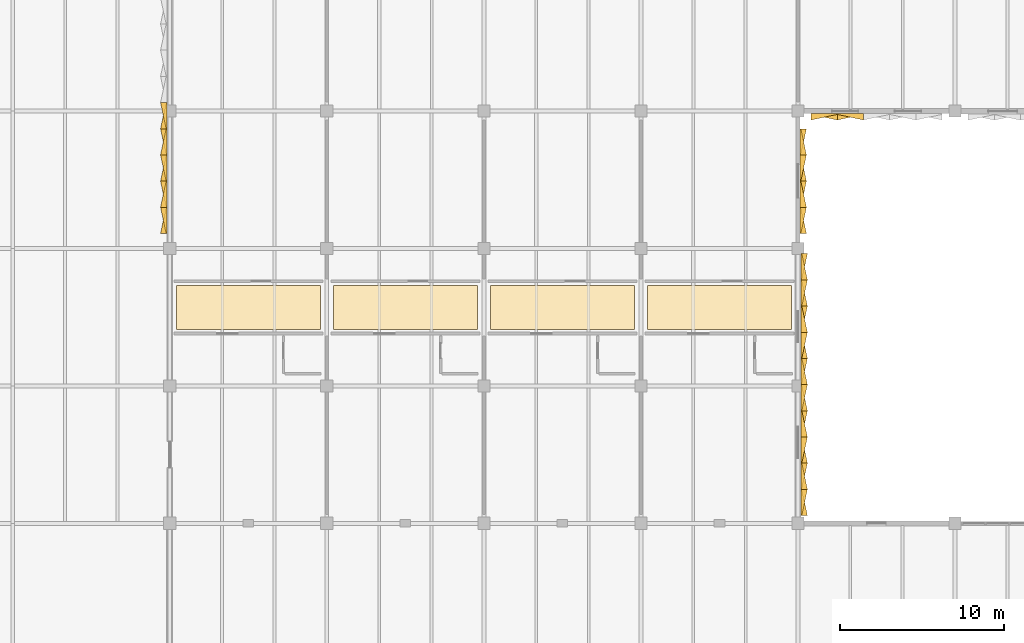
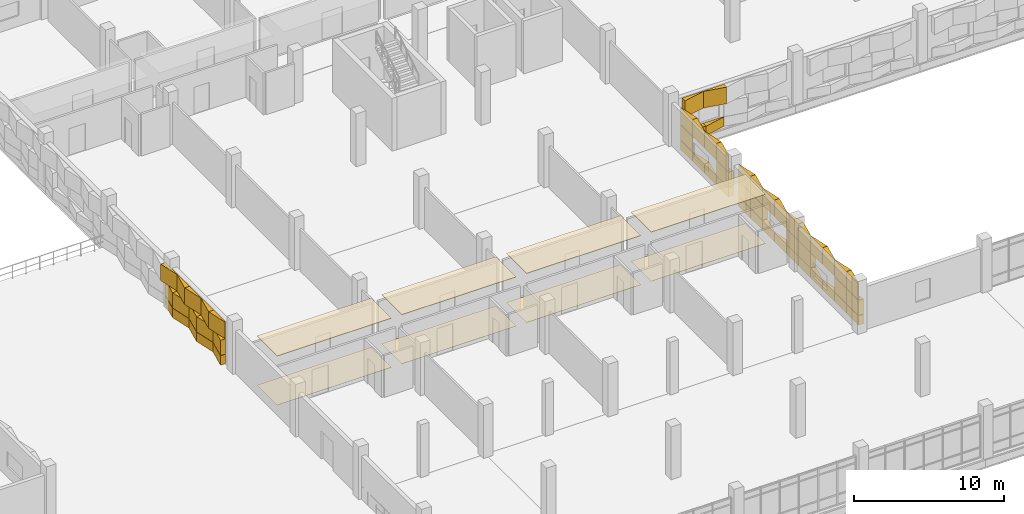
# One storey, part 81 of 86: 63 coverings.
"""IFC4 building model written with IfcOpenShell, lengths in metres."""

from ifc_helpers import new_model, si_unit, direction, frame, origin, place, context, subcontext, project, spatial, polyline, outline, extrude, material, layer, layer_set, type_object, element, save


model = new_model("IFC4")

# Units and contexts
model_context = context("Model", 3, precision=1e-05, world=origin(), true_north=direction((0.0, 1.0)))
body_context = subcontext(model_context, "Body", "Model", "MODEL_VIEW")
ifc_project = project(units=[si_unit("LENGTHUNIT", "METRE"), si_unit("AREAUNIT", "SQUARE_METRE"), si_unit("VOLUMEUNIT", "CUBIC_METRE"), si_unit("PLANEANGLEUNIT", "RADIAN"), si_unit("MASSUNIT", "GRAM", prefix="KILO")], contexts=[model_context])

# Site, building, storey
site_placement = place(None, origin())
site = spatial("IfcSite", under=ifc_project, at=site_placement, CompositionType="ELEMENT")
building_placement = place(site_placement, origin())
building = spatial("IfcBuilding", under=site, at=building_placement, Name="Oolite Switchyard Hospital", CompositionType="ELEMENT")
storey_placement = place(building_placement, frame((0.0, 0.0, 13.5)))
storey = spatial("IfcBuildingStorey", under=building, at=storey_placement, Name="L03", CompositionType="ELEMENT", Elevation=13.5)

# Coverings
ifc_material_1 = material(Name="Hygienic washable mineral-fibre acoustic ceiling")
ifc_layer_1 = layer(ifc_material_1, 0.0400390625)
ifc_layer_set_1 = layer_set([ifc_layer_1], Name="COV-CEIL-AC60")
covering_type_1 = type_object("IfcCoveringType", Name="COV-CEIL-AC60", PredefinedType="CEILING", material=ifc_layer_set_1)
covering_1_placement = place(storey_placement, frame((0.0, 0.0, 3.985107421875)))
element("IfcCovering", 1, at=covering_1_placement, inside=storey, type_object=covering_type_1, Name="L03 Surgical Step-Down Link Corridor L03 Ceiling 1", PredefinedType="CEILING", context=body_context, shape_type="SweptSolid", body=[
    extrude(outline(polyline([(134.800048828125, 87.449951171875), (143.60009765625, 87.449951171875), (143.60009765625, 90.14990234375), (134.800048828125, 90.14990234375), (134.800048828125, 87.449951171875)])), origin(), (0.0, 0.0, 1.0), 0.039794921875),
])
covering_2_placement = place(storey_placement, frame((0.0, 0.0, 3.985107421875)))
element("IfcCovering", 2, at=covering_2_placement, inside=storey, type_object=covering_type_1, Name="L03 Surgical Step-Down Link Corridor L03 Ceiling 2", PredefinedType="CEILING", context=body_context, shape_type="SweptSolid", body=[
    extrude(outline(polyline([(144.39990234375, 87.449951171875), (153.199951171875, 87.449951171875), (153.199951171875, 90.14990234375), (144.39990234375, 90.14990234375), (144.39990234375, 87.449951171875)])), origin(), (0.0, 0.0, 1.0), 0.039794921875),
])
covering_3_placement = place(storey_placement, frame((0.0, 0.0, 3.985107421875)))
element("IfcCovering", 3, at=covering_3_placement, inside=storey, type_object=covering_type_1, Name="L03 Surgical Step-Down Link Corridor L03 Ceiling 3", PredefinedType="CEILING", context=body_context, shape_type="SweptSolid", body=[
    extrude(outline(polyline([(154.0, 87.449951171875), (162.800048828125, 87.449951171875), (162.800048828125, 90.14990234375), (154.0, 90.14990234375), (154.0, 87.449951171875)])), origin(), (0.0, 0.0, 1.0), 0.039794921875),
])
covering_4_placement = place(storey_placement, frame((0.0, 0.0, 3.985107421875)))
element("IfcCovering", 4, at=covering_4_placement, inside=storey, type_object=covering_type_1, Name="L03 Surgical Step-Down Link Corridor L03 Ceiling 4", PredefinedType="CEILING", context=body_context, shape_type="SweptSolid", body=[
    extrude(outline(polyline([(163.60009765625, 87.449951171875), (172.39990234375, 87.449951171875), (172.39990234375, 90.14990234375), (163.60009765625, 90.14990234375), (163.60009765625, 87.449951171875)])), origin(), (0.0, 0.0, 1.0), 0.039794921875),
])
ifc_material_2 = material(Name="Precast oolitic limestone architectural concrete C40/50", Category="masonry")
covering_type_2 = type_object("IfcCoveringType", Name="COV-CHEV-COOL", PredefinedType="CLADDING", material=ifc_material_2)
covering_5_placement = place(storey_placement, frame((176.800048828125, 100.639892578125, 0.050048828125), z_axis=(0.0, 0.0, 1.0), x_axis=(-1.0, 0.0, 0.0)))
element("IfcCovering", 5, at=covering_5_placement, inside=storey, type_object=covering_type_2, Name="L03 Chevron Precast Oolite Panel 140", PredefinedType="CLADDING", context=body_context, shape_type="SweptSolid", body=[
    extrude(outline(polyline([(0.0, 0.0), (1.60009765625, 0.0), (1.60009765625, 0.385009765625), (0.0, 0.044921875), (0.0, 0.0)])), origin(), (0.0, 0.0, 1.0), 0.760009765625),
])
covering_6_placement = place(storey_placement, frame((176.800048828125, 100.639892578125, 2.090087890625), z_axis=(0.0, 0.0, 1.0), x_axis=(-1.0, 0.0, 0.0)))
element("IfcCovering", 6, at=covering_6_placement, inside=storey, type_object=covering_type_2, Name="L03 Chevron Precast Oolite Panel 141", PredefinedType="CLADDING", context=body_context, shape_type="SweptSolid", body=[
    extrude(outline(polyline([(0.0, 0.0), (1.60009765625, 0.0), (1.60009765625, 0.044921875), (0.0, 0.385009765625), (0.0, 0.0)])), origin(), (0.0, 0.0, 1.0), 1.349853515625),
])
covering_7_placement = place(storey_placement, frame((175.199951171875, 100.639892578125, 0.050048828125), z_axis=(0.0, 0.0, 1.0), x_axis=(-1.0, 0.0, 0.0)))
element("IfcCovering", 7, at=covering_7_placement, inside=storey, type_object=covering_type_2, Name="L03 Chevron Precast Oolite Panel 142", PredefinedType="CLADDING", context=body_context, shape_type="SweptSolid", body=[
    extrude(outline(polyline([(0.0, 0.0), (1.599853515625, 0.0), (1.599853515625, 0.044921875), (0.0, 0.385009765625), (0.0, 0.0)])), origin(), (0.0, 0.0, 1.0), 0.760009765625),
])
covering_8_placement = place(storey_placement, frame((175.199951171875, 100.639892578125, 2.090087890625), z_axis=(0.0, 0.0, 1.0), x_axis=(-1.0, 0.0, 0.0)))
element("IfcCovering", 8, at=covering_8_placement, inside=storey, type_object=covering_type_2, Name="L03 Chevron Precast Oolite Panel 143", PredefinedType="CLADDING", context=body_context, shape_type="SweptSolid", body=[
    extrude(outline(polyline([(0.0, 0.0), (1.599853515625, 0.0), (1.599853515625, 0.385009765625), (0.0, 0.044921875), (0.0, 0.0)])), origin(), (0.0, 0.0, 1.0), 1.349853515625),
])
covering_9_placement = place(storey_placement, frame((134.219970703125, 93.320068359375, 0.050048828125), z_axis=(0.0, 0.0, 1.0), x_axis=(0.0, 1.0, 0.0)))
element("IfcCovering", 9, at=covering_9_placement, inside=storey, type_object=covering_type_2, Name="L03 Chevron Precast Oolite Panel 464", PredefinedType="CLADDING", context=body_context, shape_type="SweptSolid", body=[
    extrude(outline(polyline([(0.0, 0.0), (1.599853515625, 0.0), (1.599853515625, 0.044921875), (0.0, 0.385009765625), (0.0, 0.0)])), origin(), (0.0, 0.0, 1.0), 0.760009765625),
])
covering_10_placement = place(storey_placement, frame((134.219970703125, 93.320068359375, 2.090087890625), z_axis=(0.0, 0.0, 1.0), x_axis=(0.0, 1.0, 0.0)))
element("IfcCovering", 10, at=covering_10_placement, inside=storey, type_object=covering_type_2, Name="L03 Chevron Precast Oolite Panel 465", PredefinedType="CLADDING", context=body_context, shape_type="SweptSolid", body=[
    extrude(outline(polyline([(0.0, 0.0), (1.599853515625, 0.0), (1.599853515625, 0.385009765625), (0.0, 0.044921875), (0.0, 0.0)])), origin(), (0.0, 0.0, 1.0), 1.349853515625),
])
covering_11_placement = place(storey_placement, frame((134.219970703125, 93.320068359375, 0.830078125), z_axis=(0.0, 0.0, 1.0), x_axis=(0.0, 1.0, 0.0)))
element("IfcCovering", 11, at=covering_11_placement, inside=storey, type_object=covering_type_2, Name="L03 Chevron Precast Oolite Panel 466", PredefinedType="CLADDING", context=body_context, shape_type="SweptSolid", body=[
    extrude(outline(polyline([(0.0, 0.0), (1.599853515625, 0.0), (1.599853515625, 0.044921875), (0.0, 0.385009765625), (0.0, 0.0)])), origin(), (0.0, 0.0, 1.0), 1.239990234375),
])
covering_12_placement = place(storey_placement, frame((134.219970703125, 94.919921875, 0.050048828125), z_axis=(0.0, 0.0, 1.0), x_axis=(0.0, 1.0, 0.0)))
element("IfcCovering", 12, at=covering_12_placement, inside=storey, type_object=covering_type_2, Name="L03 Chevron Precast Oolite Panel 467", PredefinedType="CLADDING", context=body_context, shape_type="SweptSolid", body=[
    extrude(outline(polyline([(0.0, 0.0), (1.60009765625, 0.0), (1.60009765625, 0.385009765625), (0.0, 0.044921875), (0.0, 0.0)])), origin(), (0.0, 0.0, 1.0), 0.760009765625),
])
covering_13_placement = place(storey_placement, frame((134.219970703125, 94.919921875, 2.090087890625), z_axis=(0.0, 0.0, 1.0), x_axis=(0.0, 1.0, 0.0)))
element("IfcCovering", 13, at=covering_13_placement, inside=storey, type_object=covering_type_2, Name="L03 Chevron Precast Oolite Panel 468", PredefinedType="CLADDING", context=body_context, shape_type="SweptSolid", body=[
    extrude(outline(polyline([(0.0, 0.0), (1.60009765625, 0.0), (1.60009765625, 0.044921875), (0.0, 0.385009765625), (0.0, 0.0)])), origin(), (0.0, 0.0, 1.0), 1.349853515625),
])
covering_14_placement = place(storey_placement, frame((134.219970703125, 94.919921875, 0.830078125), z_axis=(0.0, 0.0, 1.0), x_axis=(0.0, 1.0, 0.0)))
element("IfcCovering", 14, at=covering_14_placement, inside=storey, type_object=covering_type_2, Name="L03 Chevron Precast Oolite Panel 469", PredefinedType="CLADDING", context=body_context, shape_type="SweptSolid", body=[
    extrude(outline(polyline([(0.0, 0.0), (1.60009765625, 0.0), (1.60009765625, 0.385009765625), (0.0, 0.044921875), (0.0, 0.0)])), origin(), (0.0, 0.0, 1.0), 1.239990234375),
])
covering_15_placement = place(storey_placement, frame((134.219970703125, 96.52001953125, 0.050048828125), z_axis=(0.0, 0.0, 1.0), x_axis=(0.0, 1.0, 0.0)))
element("IfcCovering", 15, at=covering_15_placement, inside=storey, type_object=covering_type_2, Name="L03 Chevron Precast Oolite Panel 470", PredefinedType="CLADDING", context=body_context, shape_type="SweptSolid", body=[
    extrude(outline(polyline([(0.0, 0.0), (1.60009765625, 0.0), (1.60009765625, 0.044921875), (0.0, 0.385009765625), (0.0, 0.0)])), origin(), (0.0, 0.0, 1.0), 0.760009765625),
])
covering_16_placement = place(storey_placement, frame((134.219970703125, 96.52001953125, 2.090087890625), z_axis=(0.0, 0.0, 1.0), x_axis=(0.0, 1.0, 0.0)))
element("IfcCovering", 16, at=covering_16_placement, inside=storey, type_object=covering_type_2, Name="L03 Chevron Precast Oolite Panel 471", PredefinedType="CLADDING", context=body_context, shape_type="SweptSolid", body=[
    extrude(outline(polyline([(0.0, 0.0), (1.60009765625, 0.0), (1.60009765625, 0.385009765625), (0.0, 0.044921875), (0.0, 0.0)])), origin(), (0.0, 0.0, 1.0), 1.349853515625),
])
covering_17_placement = place(storey_placement, frame((134.219970703125, 96.52001953125, 0.830078125), z_axis=(0.0, 0.0, 1.0), x_axis=(0.0, 1.0, 0.0)))
element("IfcCovering", 17, at=covering_17_placement, inside=storey, type_object=covering_type_2, Name="L03 Chevron Precast Oolite Panel 472", PredefinedType="CLADDING", context=body_context, shape_type="SweptSolid", body=[
    extrude(outline(polyline([(0.0, 0.0), (1.60009765625, 0.0), (1.60009765625, 0.044921875), (0.0, 0.385009765625), (0.0, 0.0)])), origin(), (0.0, 0.0, 1.0), 1.239990234375),
])
covering_18_placement = place(storey_placement, frame((134.219970703125, 98.1201171875, 0.050048828125), z_axis=(0.0, 0.0, 1.0), x_axis=(0.0, 1.0, 0.0)))
element("IfcCovering", 18, at=covering_18_placement, inside=storey, type_object=covering_type_2, Name="L03 Chevron Precast Oolite Panel 473", PredefinedType="CLADDING", context=body_context, shape_type="SweptSolid", body=[
    extrude(outline(polyline([(0.0, 0.0), (1.599853515625, 0.0), (1.599853515625, 0.385009765625), (0.0, 0.044921875), (0.0, 0.0)])), origin(), (0.0, 0.0, 1.0), 0.760009765625),
])
covering_19_placement = place(storey_placement, frame((134.219970703125, 98.1201171875, 2.090087890625), z_axis=(0.0, 0.0, 1.0), x_axis=(0.0, 1.0, 0.0)))
element("IfcCovering", 19, at=covering_19_placement, inside=storey, type_object=covering_type_2, Name="L03 Chevron Precast Oolite Panel 474", PredefinedType="CLADDING", context=body_context, shape_type="SweptSolid", body=[
    extrude(outline(polyline([(0.0, 0.0), (1.599853515625, 0.0), (1.599853515625, 0.044921875), (0.0, 0.385009765625), (0.0, 0.0)])), origin(), (0.0, 0.0, 1.0), 1.349853515625),
])
covering_20_placement = place(storey_placement, frame((134.219970703125, 98.1201171875, 0.830078125), z_axis=(0.0, 0.0, 1.0), x_axis=(0.0, 1.0, 0.0)))
element("IfcCovering", 20, at=covering_20_placement, inside=storey, type_object=covering_type_2, Name="L03 Chevron Precast Oolite Panel 475", PredefinedType="CLADDING", context=body_context, shape_type="SweptSolid", body=[
    extrude(outline(polyline([(0.0, 0.0), (1.599853515625, 0.0), (1.599853515625, 0.385009765625), (0.0, 0.044921875), (0.0, 0.0)])), origin(), (0.0, 0.0, 1.0), 1.239990234375),
])
covering_21_placement = place(storey_placement, frame((134.219970703125, 99.719970703125, 0.050048828125), z_axis=(0.0, 0.0, 1.0), x_axis=(0.0, 1.0, 0.0)))
element("IfcCovering", 21, at=covering_21_placement, inside=storey, type_object=covering_type_2, Name="L03 Chevron Precast Oolite Panel 476", PredefinedType="CLADDING", context=body_context, shape_type="SweptSolid", body=[
    extrude(outline(polyline([(0.0, 0.0), (1.60009765625, 0.0), (1.60009765625, 0.044921875), (0.0, 0.385009765625), (0.0, 0.0)])), origin(), (0.0, 0.0, 1.0), 0.760009765625),
])
covering_22_placement = place(storey_placement, frame((134.219970703125, 99.719970703125, 2.090087890625), z_axis=(0.0, 0.0, 1.0), x_axis=(0.0, 1.0, 0.0)))
element("IfcCovering", 22, at=covering_22_placement, inside=storey, type_object=covering_type_2, Name="L03 Chevron Precast Oolite Panel 477", PredefinedType="CLADDING", context=body_context, shape_type="SweptSolid", body=[
    extrude(outline(polyline([(0.0, 0.0), (1.60009765625, 0.0), (1.60009765625, 0.385009765625), (0.0, 0.044921875), (0.0, 0.0)])), origin(), (0.0, 0.0, 1.0), 1.349853515625),
])
covering_23_placement = place(storey_placement, frame((134.219970703125, 99.719970703125, 0.830078125), z_axis=(0.0, 0.0, 1.0), x_axis=(0.0, 1.0, 0.0)))
element("IfcCovering", 23, at=covering_23_placement, inside=storey, type_object=covering_type_2, Name="L03 Chevron Precast Oolite Panel 478", PredefinedType="CLADDING", context=body_context, shape_type="SweptSolid", body=[
    extrude(outline(polyline([(0.0, 0.0), (1.60009765625, 0.0), (1.60009765625, 0.044921875), (0.0, 0.385009765625), (0.0, 0.0)])), origin(), (0.0, 0.0, 1.0), 1.239990234375),
])
covering_24_placement = place(storey_placement, frame((172.989990234375, 92.080078125, 0.050048828125), z_axis=(0.0, 0.0, 1.0), x_axis=(0.0, -1.0, 0.0)))
element("IfcCovering", 24, at=covering_24_placement, inside=storey, type_object=covering_type_2, Name="L03 Chevron Precast Oolite Panel 536", PredefinedType="CLADDING", context=body_context, shape_type="SweptSolid", body=[
    extrude(outline(polyline([(0.0, 0.0), (1.60009765625, 0.0), (1.60009765625, 0.044921875), (0.0, 0.385009765625), (0.0, 0.0)])), origin(), (0.0, 0.0, 1.0), 0.760009765625),
])
covering_25_placement = place(storey_placement, frame((172.989990234375, 92.080078125, 2.090087890625), z_axis=(0.0, 0.0, 1.0), x_axis=(0.0, -1.0, 0.0)))
element("IfcCovering", 25, at=covering_25_placement, inside=storey, type_object=covering_type_2, Name="L03 Chevron Precast Oolite Panel 537", PredefinedType="CLADDING", context=body_context, shape_type="SweptSolid", body=[
    extrude(outline(polyline([(0.0, 0.0), (1.60009765625, 0.0), (1.60009765625, 0.385009765625), (0.0, 0.044921875), (0.0, 0.0)])), origin(), (0.0, 0.0, 1.0), 1.349853515625),
])
covering_26_placement = place(storey_placement, frame((172.989990234375, 92.080078125, 0.830078125), z_axis=(0.0, 0.0, 1.0), x_axis=(0.0, -1.0, 0.0)))
element("IfcCovering", 26, at=covering_26_placement, inside=storey, type_object=covering_type_2, Name="L03 Chevron Precast Oolite Panel 538", PredefinedType="CLADDING", context=body_context, shape_type="SweptSolid", body=[
    extrude(outline(polyline([(0.0, 0.0), (1.60009765625, 0.0), (1.60009765625, 0.044921875), (0.0, 0.385009765625), (0.0, 0.0)])), origin(), (0.0, 0.0, 1.0), 1.239990234375),
])
covering_27_placement = place(storey_placement, frame((172.989990234375, 90.47998046875, 0.050048828125), z_axis=(0.0, 0.0, 1.0), x_axis=(0.0, -1.0, 0.0)))
element("IfcCovering", 27, at=covering_27_placement, inside=storey, type_object=covering_type_2, Name="L03 Chevron Precast Oolite Panel 539", PredefinedType="CLADDING", context=body_context, shape_type="SweptSolid", body=[
    extrude(outline(polyline([(0.0, 0.0), (1.60009765625, 0.0), (1.60009765625, 0.385009765625), (0.0, 0.044921875), (0.0, 0.0)])), origin(), (0.0, 0.0, 1.0), 0.760009765625),
])
covering_28_placement = place(storey_placement, frame((172.989990234375, 90.47998046875, 2.090087890625), z_axis=(0.0, 0.0, 1.0), x_axis=(0.0, -1.0, 0.0)))
element("IfcCovering", 28, at=covering_28_placement, inside=storey, type_object=covering_type_2, Name="L03 Chevron Precast Oolite Panel 540", PredefinedType="CLADDING", context=body_context, shape_type="SweptSolid", body=[
    extrude(outline(polyline([(0.0, 0.0), (1.60009765625, 0.0), (1.60009765625, 0.044921875), (0.0, 0.385009765625), (0.0, 0.0)])), origin(), (0.0, 0.0, 1.0), 1.349853515625),
])
covering_29_placement = place(storey_placement, frame((172.989990234375, 90.47998046875, 0.830078125), z_axis=(0.0, 0.0, 1.0), x_axis=(0.0, -1.0, 0.0)))
element("IfcCovering", 29, at=covering_29_placement, inside=storey, type_object=covering_type_2, Name="L03 Chevron Precast Oolite Panel 541", PredefinedType="CLADDING", context=body_context, shape_type="SweptSolid", body=[
    extrude(outline(polyline([(0.0, 0.0), (1.60009765625, 0.0), (1.60009765625, 0.385009765625), (0.0, 0.044921875), (0.0, 0.0)])), origin(), (0.0, 0.0, 1.0), 1.239990234375),
])
covering_30_placement = place(storey_placement, frame((172.989990234375, 88.8798828125, 0.050048828125), z_axis=(0.0, 0.0, 1.0), x_axis=(0.0, -1.0, 0.0)))
element("IfcCovering", 30, at=covering_30_placement, inside=storey, type_object=covering_type_2, Name="L03 Chevron Precast Oolite Panel 542", PredefinedType="CLADDING", context=body_context, shape_type="SweptSolid", body=[
    extrude(outline(polyline([(0.0, 0.0), (1.599853515625, 0.0), (1.599853515625, 0.044921875), (0.0, 0.385009765625), (0.0, 0.0)])), origin(), (0.0, 0.0, 1.0), 0.760009765625),
])
covering_31_placement = place(storey_placement, frame((172.989990234375, 88.8798828125, 2.090087890625), z_axis=(0.0, 0.0, 1.0), x_axis=(0.0, -1.0, 0.0)))
element("IfcCovering", 31, at=covering_31_placement, inside=storey, type_object=covering_type_2, Name="L03 Chevron Precast Oolite Panel 543", PredefinedType="CLADDING", context=body_context, shape_type="SweptSolid", body=[
    extrude(outline(polyline([(0.0, 0.0), (1.599853515625, 0.0), (1.599853515625, 0.385009765625), (0.0, 0.044921875), (0.0, 0.0)])), origin(), (0.0, 0.0, 1.0), 1.349853515625),
])
covering_32_placement = place(storey_placement, frame((172.989990234375, 87.280029296875, 0.050048828125), z_axis=(0.0, 0.0, 1.0), x_axis=(0.0, -1.0, 0.0)))
element("IfcCovering", 32, at=covering_32_placement, inside=storey, type_object=covering_type_2, Name="L03 Chevron Precast Oolite Panel 544", PredefinedType="CLADDING", context=body_context, shape_type="SweptSolid", body=[
    extrude(outline(polyline([(0.0, 0.0), (1.60009765625, 0.0), (1.60009765625, 0.385009765625), (0.0, 0.044921875), (0.0, 0.0)])), origin(), (0.0, 0.0, 1.0), 0.760009765625),
])
covering_33_placement = place(storey_placement, frame((172.989990234375, 87.280029296875, 2.090087890625), z_axis=(0.0, 0.0, 1.0), x_axis=(0.0, -1.0, 0.0)))
element("IfcCovering", 33, at=covering_33_placement, inside=storey, type_object=covering_type_2, Name="L03 Chevron Precast Oolite Panel 545", PredefinedType="CLADDING", context=body_context, shape_type="SweptSolid", body=[
    extrude(outline(polyline([(0.0, 0.0), (1.60009765625, 0.0), (1.60009765625, 0.044921875), (0.0, 0.385009765625), (0.0, 0.0)])), origin(), (0.0, 0.0, 1.0), 1.349853515625),
])
covering_34_placement = place(storey_placement, frame((172.989990234375, 85.679931640625, 0.050048828125), z_axis=(0.0, 0.0, 1.0), x_axis=(0.0, -1.0, 0.0)))
element("IfcCovering", 34, at=covering_34_placement, inside=storey, type_object=covering_type_2, Name="L03 Chevron Precast Oolite Panel 546", PredefinedType="CLADDING", context=body_context, shape_type="SweptSolid", body=[
    extrude(outline(polyline([(0.0, 0.0), (1.599853515625, 0.0), (1.599853515625, 0.044921875), (0.0, 0.385009765625), (0.0, 0.0)])), origin(), (0.0, 0.0, 1.0), 0.760009765625),
])
covering_35_placement = place(storey_placement, frame((172.989990234375, 85.679931640625, 2.090087890625), z_axis=(0.0, 0.0, 1.0), x_axis=(0.0, -1.0, 0.0)))
element("IfcCovering", 35, at=covering_35_placement, inside=storey, type_object=covering_type_2, Name="L03 Chevron Precast Oolite Panel 547", PredefinedType="CLADDING", context=body_context, shape_type="SweptSolid", body=[
    extrude(outline(polyline([(0.0, 0.0), (1.599853515625, 0.0), (1.599853515625, 0.385009765625), (0.0, 0.044921875), (0.0, 0.0)])), origin(), (0.0, 0.0, 1.0), 1.349853515625),
])
covering_36_placement = place(storey_placement, frame((172.989990234375, 85.679931640625, 0.830078125), z_axis=(0.0, 0.0, 1.0), x_axis=(0.0, -1.0, 0.0)))
element("IfcCovering", 36, at=covering_36_placement, inside=storey, type_object=covering_type_2, Name="L03 Chevron Precast Oolite Panel 548", PredefinedType="CLADDING", context=body_context, shape_type="SweptSolid", body=[
    extrude(outline(polyline([(0.0, 0.0), (1.599853515625, 0.0), (1.599853515625, 0.044921875), (0.0, 0.385009765625), (0.0, 0.0)])), origin(), (0.0, 0.0, 1.0), 1.239990234375),
])
covering_37_placement = place(storey_placement, frame((172.989990234375, 84.080078125, 0.050048828125), z_axis=(0.0, 0.0, 1.0), x_axis=(0.0, -1.0, 0.0)))
element("IfcCovering", 37, at=covering_37_placement, inside=storey, type_object=covering_type_2, Name="L03 Chevron Precast Oolite Panel 549", PredefinedType="CLADDING", context=body_context, shape_type="SweptSolid", body=[
    extrude(outline(polyline([(0.0, 0.0), (1.60009765625, 0.0), (1.60009765625, 0.385009765625), (0.0, 0.044921875), (0.0, 0.0)])), origin(), (0.0, 0.0, 1.0), 0.760009765625),
])
covering_38_placement = place(storey_placement, frame((172.989990234375, 84.080078125, 2.090087890625), z_axis=(0.0, 0.0, 1.0), x_axis=(0.0, -1.0, 0.0)))
element("IfcCovering", 38, at=covering_38_placement, inside=storey, type_object=covering_type_2, Name="L03 Chevron Precast Oolite Panel 550", PredefinedType="CLADDING", context=body_context, shape_type="SweptSolid", body=[
    extrude(outline(polyline([(0.0, 0.0), (1.60009765625, 0.0), (1.60009765625, 0.044921875), (0.0, 0.385009765625), (0.0, 0.0)])), origin(), (0.0, 0.0, 1.0), 1.349853515625),
])
covering_39_placement = place(storey_placement, frame((172.989990234375, 84.080078125, 0.830078125), z_axis=(0.0, 0.0, 1.0), x_axis=(0.0, -1.0, 0.0)))
element("IfcCovering", 39, at=covering_39_placement, inside=storey, type_object=covering_type_2, Name="L03 Chevron Precast Oolite Panel 551", PredefinedType="CLADDING", context=body_context, shape_type="SweptSolid", body=[
    extrude(outline(polyline([(0.0, 0.0), (1.60009765625, 0.0), (1.60009765625, 0.385009765625), (0.0, 0.044921875), (0.0, 0.0)])), origin(), (0.0, 0.0, 1.0), 1.239990234375),
])
covering_40_placement = place(storey_placement, frame((172.989990234375, 82.47998046875, 0.050048828125), z_axis=(0.0, 0.0, 1.0), x_axis=(0.0, -1.0, 0.0)))
element("IfcCovering", 40, at=covering_40_placement, inside=storey, type_object=covering_type_2, Name="L03 Chevron Precast Oolite Panel 552", PredefinedType="CLADDING", context=body_context, shape_type="SweptSolid", body=[
    extrude(outline(polyline([(0.0, 0.0), (1.60009765625, 0.0), (1.60009765625, 0.044921875), (0.0, 0.385009765625), (0.0, 0.0)])), origin(), (0.0, 0.0, 1.0), 0.760009765625),
])
covering_41_placement = place(storey_placement, frame((172.989990234375, 82.47998046875, 2.090087890625), z_axis=(0.0, 0.0, 1.0), x_axis=(0.0, -1.0, 0.0)))
element("IfcCovering", 41, at=covering_41_placement, inside=storey, type_object=covering_type_2, Name="L03 Chevron Precast Oolite Panel 553", PredefinedType="CLADDING", context=body_context, shape_type="SweptSolid", body=[
    extrude(outline(polyline([(0.0, 0.0), (1.60009765625, 0.0), (1.60009765625, 0.385009765625), (0.0, 0.044921875), (0.0, 0.0)])), origin(), (0.0, 0.0, 1.0), 1.349853515625),
])
covering_42_placement = place(storey_placement, frame((172.989990234375, 80.8798828125, 0.050048828125), z_axis=(0.0, 0.0, 1.0), x_axis=(0.0, -1.0, 0.0)))
element("IfcCovering", 42, at=covering_42_placement, inside=storey, type_object=covering_type_2, Name="L03 Chevron Precast Oolite Panel 554", PredefinedType="CLADDING", context=body_context, shape_type="SweptSolid", body=[
    extrude(outline(polyline([(0.0, 0.0), (1.599853515625, 0.0), (1.599853515625, 0.385009765625), (0.0, 0.044921875), (0.0, 0.0)])), origin(), (0.0, 0.0, 1.0), 0.760009765625),
])
covering_43_placement = place(storey_placement, frame((172.989990234375, 80.8798828125, 2.090087890625), z_axis=(0.0, 0.0, 1.0), x_axis=(0.0, -1.0, 0.0)))
element("IfcCovering", 43, at=covering_43_placement, inside=storey, type_object=covering_type_2, Name="L03 Chevron Precast Oolite Panel 555", PredefinedType="CLADDING", context=body_context, shape_type="SweptSolid", body=[
    extrude(outline(polyline([(0.0, 0.0), (1.599853515625, 0.0), (1.599853515625, 0.044921875), (0.0, 0.385009765625), (0.0, 0.0)])), origin(), (0.0, 0.0, 1.0), 1.349853515625),
])
covering_44_placement = place(storey_placement, frame((172.989990234375, 79.280029296875, 0.050048828125), z_axis=(0.0, 0.0, 1.0), x_axis=(0.0, -1.0, 0.0)))
element("IfcCovering", 44, at=covering_44_placement, inside=storey, type_object=covering_type_2, Name="L03 Chevron Precast Oolite Panel 556", PredefinedType="CLADDING", context=body_context, shape_type="SweptSolid", body=[
    extrude(outline(polyline([(0.0, 0.0), (1.60009765625, 0.0), (1.60009765625, 0.044921875), (0.0, 0.385009765625), (0.0, 0.0)])), origin(), (0.0, 0.0, 1.0), 0.760009765625),
])
covering_45_placement = place(storey_placement, frame((172.989990234375, 79.280029296875, 2.090087890625), z_axis=(0.0, 0.0, 1.0), x_axis=(0.0, -1.0, 0.0)))
element("IfcCovering", 45, at=covering_45_placement, inside=storey, type_object=covering_type_2, Name="L03 Chevron Precast Oolite Panel 557", PredefinedType="CLADDING", context=body_context, shape_type="SweptSolid", body=[
    extrude(outline(polyline([(0.0, 0.0), (1.60009765625, 0.0), (1.60009765625, 0.385009765625), (0.0, 0.044921875), (0.0, 0.0)])), origin(), (0.0, 0.0, 1.0), 1.349853515625),
])
covering_46_placement = place(storey_placement, frame((172.989990234375, 79.280029296875, 0.830078125), z_axis=(0.0, 0.0, 1.0), x_axis=(0.0, -1.0, 0.0)))
element("IfcCovering", 46, at=covering_46_placement, inside=storey, type_object=covering_type_2, Name="L03 Chevron Precast Oolite Panel 558", PredefinedType="CLADDING", context=body_context, shape_type="SweptSolid", body=[
    extrude(outline(polyline([(0.0, 0.0), (1.60009765625, 0.0), (1.60009765625, 0.044921875), (0.0, 0.385009765625), (0.0, 0.0)])), origin(), (0.0, 0.0, 1.0), 1.239990234375),
])
covering_47_placement = place(storey_placement, frame((172.989990234375, 77.679931640625, 0.050048828125), z_axis=(0.0, 0.0, 1.0), x_axis=(0.0, -1.0, 0.0)))
element("IfcCovering", 47, at=covering_47_placement, inside=storey, type_object=covering_type_2, Name="L03 Chevron Precast Oolite Panel 559", PredefinedType="CLADDING", context=body_context, shape_type="SweptSolid", body=[
    extrude(outline(polyline([(0.0, 0.0), (1.599853515625, 0.0), (1.599853515625, 0.385009765625), (0.0, 0.044921875), (0.0, 0.0)])), origin(), (0.0, 0.0, 1.0), 0.760009765625),
])
covering_48_placement = place(storey_placement, frame((172.989990234375, 77.679931640625, 2.090087890625), z_axis=(0.0, 0.0, 1.0), x_axis=(0.0, -1.0, 0.0)))
element("IfcCovering", 48, at=covering_48_placement, inside=storey, type_object=covering_type_2, Name="L03 Chevron Precast Oolite Panel 560", PredefinedType="CLADDING", context=body_context, shape_type="SweptSolid", body=[
    extrude(outline(polyline([(0.0, 0.0), (1.599853515625, 0.0), (1.599853515625, 0.044921875), (0.0, 0.385009765625), (0.0, 0.0)])), origin(), (0.0, 0.0, 1.0), 1.349853515625),
])
covering_49_placement = place(storey_placement, frame((172.989990234375, 77.679931640625, 0.830078125), z_axis=(0.0, 0.0, 1.0), x_axis=(0.0, -1.0, 0.0)))
element("IfcCovering", 49, at=covering_49_placement, inside=storey, type_object=covering_type_2, Name="L03 Chevron Precast Oolite Panel 561", PredefinedType="CLADDING", context=body_context, shape_type="SweptSolid", body=[
    extrude(outline(polyline([(0.0, 0.0), (1.599853515625, 0.0), (1.599853515625, 0.385009765625), (0.0, 0.044921875), (0.0, 0.0)])), origin(), (0.0, 0.0, 1.0), 1.239990234375),
])
covering_50_placement = place(storey_placement, frame((172.929931640625, 99.719970703125, 0.050048828125), z_axis=(0.0, 0.0, 1.0), x_axis=(0.0, -1.0, 0.0)))
element("IfcCovering", 50, at=covering_50_placement, inside=storey, type_object=covering_type_2, Name="L03 Chevron Precast Oolite Panel 562", PredefinedType="CLADDING", context=body_context, shape_type="SweptSolid", body=[
    extrude(outline(polyline([(0.0, 0.0), (1.599853515625, 0.0), (1.599853515625, 0.044921875), (0.0, 0.385009765625), (0.0, 0.0)])), origin(), (0.0, 0.0, 1.0), 0.760009765625),
])
covering_51_placement = place(storey_placement, frame((172.929931640625, 99.719970703125, 2.090087890625), z_axis=(0.0, 0.0, 1.0), x_axis=(0.0, -1.0, 0.0)))
element("IfcCovering", 51, at=covering_51_placement, inside=storey, type_object=covering_type_2, Name="L03 Chevron Precast Oolite Panel 563", PredefinedType="CLADDING", context=body_context, shape_type="SweptSolid", body=[
    extrude(outline(polyline([(0.0, 0.0), (1.599853515625, 0.0), (1.599853515625, 0.385009765625), (0.0, 0.044921875), (0.0, 0.0)])), origin(), (0.0, 0.0, 1.0), 1.349853515625),
])
covering_52_placement = place(storey_placement, frame((172.929931640625, 99.719970703125, 0.830078125), z_axis=(0.0, 0.0, 1.0), x_axis=(0.0, -1.0, 0.0)))
element("IfcCovering", 52, at=covering_52_placement, inside=storey, type_object=covering_type_2, Name="L03 Chevron Precast Oolite Panel 564", PredefinedType="CLADDING", context=body_context, shape_type="SweptSolid", body=[
    extrude(outline(polyline([(0.0, 0.0), (1.599853515625, 0.0), (1.599853515625, 0.044921875), (0.0, 0.385009765625), (0.0, 0.0)])), origin(), (0.0, 0.0, 1.0), 1.239990234375),
])
covering_53_placement = place(storey_placement, frame((172.929931640625, 98.1201171875, 0.050048828125), z_axis=(0.0, 0.0, 1.0), x_axis=(0.0, -1.0, 0.0)))
element("IfcCovering", 53, at=covering_53_placement, inside=storey, type_object=covering_type_2, Name="L03 Chevron Precast Oolite Panel 565", PredefinedType="CLADDING", context=body_context, shape_type="SweptSolid", body=[
    extrude(outline(polyline([(0.0, 0.0), (1.60009765625, 0.0), (1.60009765625, 0.385009765625), (0.0, 0.044921875), (0.0, 0.0)])), origin(), (0.0, 0.0, 1.0), 0.760009765625),
])
covering_54_placement = place(storey_placement, frame((172.929931640625, 98.1201171875, 2.090087890625), z_axis=(0.0, 0.0, 1.0), x_axis=(0.0, -1.0, 0.0)))
element("IfcCovering", 54, at=covering_54_placement, inside=storey, type_object=covering_type_2, Name="L03 Chevron Precast Oolite Panel 566", PredefinedType="CLADDING", context=body_context, shape_type="SweptSolid", body=[
    extrude(outline(polyline([(0.0, 0.0), (1.60009765625, 0.0), (1.60009765625, 0.044921875), (0.0, 0.385009765625), (0.0, 0.0)])), origin(), (0.0, 0.0, 1.0), 1.349853515625),
])
covering_55_placement = place(storey_placement, frame((172.929931640625, 96.52001953125, 0.050048828125), z_axis=(0.0, 0.0, 1.0), x_axis=(0.0, -1.0, 0.0)))
element("IfcCovering", 55, at=covering_55_placement, inside=storey, type_object=covering_type_2, Name="L03 Chevron Precast Oolite Panel 567", PredefinedType="CLADDING", context=body_context, shape_type="SweptSolid", body=[
    extrude(outline(polyline([(0.0, 0.0), (1.60009765625, 0.0), (1.60009765625, 0.044921875), (0.0, 0.385009765625), (0.0, 0.0)])), origin(), (0.0, 0.0, 1.0), 0.760009765625),
])
covering_56_placement = place(storey_placement, frame((172.929931640625, 96.52001953125, 2.090087890625), z_axis=(0.0, 0.0, 1.0), x_axis=(0.0, -1.0, 0.0)))
element("IfcCovering", 56, at=covering_56_placement, inside=storey, type_object=covering_type_2, Name="L03 Chevron Precast Oolite Panel 568", PredefinedType="CLADDING", context=body_context, shape_type="SweptSolid", body=[
    extrude(outline(polyline([(0.0, 0.0), (1.60009765625, 0.0), (1.60009765625, 0.385009765625), (0.0, 0.044921875), (0.0, 0.0)])), origin(), (0.0, 0.0, 1.0), 1.349853515625),
])
covering_57_placement = place(storey_placement, frame((172.929931640625, 94.919921875, 0.050048828125), z_axis=(0.0, 0.0, 1.0), x_axis=(0.0, -1.0, 0.0)))
element("IfcCovering", 57, at=covering_57_placement, inside=storey, type_object=covering_type_2, Name="L03 Chevron Precast Oolite Panel 569", PredefinedType="CLADDING", context=body_context, shape_type="SweptSolid", body=[
    extrude(outline(polyline([(0.0, 0.0), (1.599853515625, 0.0), (1.599853515625, 0.385009765625), (0.0, 0.044921875), (0.0, 0.0)])), origin(), (0.0, 0.0, 1.0), 0.760009765625),
])
covering_58_placement = place(storey_placement, frame((172.929931640625, 94.919921875, 2.090087890625), z_axis=(0.0, 0.0, 1.0), x_axis=(0.0, -1.0, 0.0)))
element("IfcCovering", 58, at=covering_58_placement, inside=storey, type_object=covering_type_2, Name="L03 Chevron Precast Oolite Panel 570", PredefinedType="CLADDING", context=body_context, shape_type="SweptSolid", body=[
    extrude(outline(polyline([(0.0, 0.0), (1.599853515625, 0.0), (1.599853515625, 0.044921875), (0.0, 0.385009765625), (0.0, 0.0)])), origin(), (0.0, 0.0, 1.0), 1.349853515625),
])
covering_59_placement = place(storey_placement, frame((172.929931640625, 94.919921875, 0.830078125), z_axis=(0.0, 0.0, 1.0), x_axis=(0.0, -1.0, 0.0)))
element("IfcCovering", 59, at=covering_59_placement, inside=storey, type_object=covering_type_2, Name="L03 Chevron Precast Oolite Panel 571", PredefinedType="CLADDING", context=body_context, shape_type="SweptSolid", body=[
    extrude(outline(polyline([(0.0, 0.0), (1.599853515625, 0.0), (1.599853515625, 0.385009765625), (0.0, 0.044921875), (0.0, 0.0)])), origin(), (0.0, 0.0, 1.0), 1.239990234375),
])
ifc_material_3 = material(Name="Epoxy terrazzo seamless clinical flooring")
ifc_layer_2 = layer(ifc_material_3, 0.02001953125)
ifc_layer_set_2 = layer_set([ifc_layer_2], Name="COV-FLR-TER20")
covering_type_3 = type_object("IfcCoveringType", Name="COV-FLR-TER20", PredefinedType="FLOORING", material=ifc_layer_set_2)
covering_60_placement = place(storey_placement, origin())
element("IfcCovering", 60, at=covering_60_placement, inside=storey, type_object=covering_type_3, Name="L03 Surgical Step-Down Link Corridor L03 Flooring 1", PredefinedType="FLOORING", context=body_context, shape_type="SweptSolid", body=[
    extrude(outline(polyline([(134.800048828125, 87.449951171875), (143.60009765625, 87.449951171875), (143.60009765625, 90.14990234375), (134.800048828125, 90.14990234375), (134.800048828125, 87.449951171875)])), origin(), (0.0, 0.0, 1.0), 0.02001953125),
])
covering_61_placement = place(storey_placement, origin())
element("IfcCovering", 61, at=covering_61_placement, inside=storey, type_object=covering_type_3, Name="L03 Surgical Step-Down Link Corridor L03 Flooring 2", PredefinedType="FLOORING", context=body_context, shape_type="SweptSolid", body=[
    extrude(outline(polyline([(144.39990234375, 87.449951171875), (153.199951171875, 87.449951171875), (153.199951171875, 90.14990234375), (144.39990234375, 90.14990234375), (144.39990234375, 87.449951171875)])), origin(), (0.0, 0.0, 1.0), 0.02001953125),
])
covering_62_placement = place(storey_placement, origin())
element("IfcCovering", 62, at=covering_62_placement, inside=storey, type_object=covering_type_3, Name="L03 Surgical Step-Down Link Corridor L03 Flooring 3", PredefinedType="FLOORING", context=body_context, shape_type="SweptSolid", body=[
    extrude(outline(polyline([(154.0, 87.449951171875), (162.800048828125, 87.449951171875), (162.800048828125, 90.14990234375), (154.0, 90.14990234375), (154.0, 87.449951171875)])), origin(), (0.0, 0.0, 1.0), 0.02001953125),
])
covering_63_placement = place(storey_placement, origin())
element("IfcCovering", 63, at=covering_63_placement, inside=storey, type_object=covering_type_3, Name="L03 Surgical Step-Down Link Corridor L03 Flooring 4", PredefinedType="FLOORING", context=body_context, shape_type="SweptSolid", body=[
    extrude(outline(polyline([(163.60009765625, 87.449951171875), (172.39990234375, 87.449951171875), (172.39990234375, 90.14990234375), (163.60009765625, 90.14990234375), (163.60009765625, 87.449951171875)])), origin(), (0.0, 0.0, 1.0), 0.02001953125),
])

save(model, "model.ifc")
